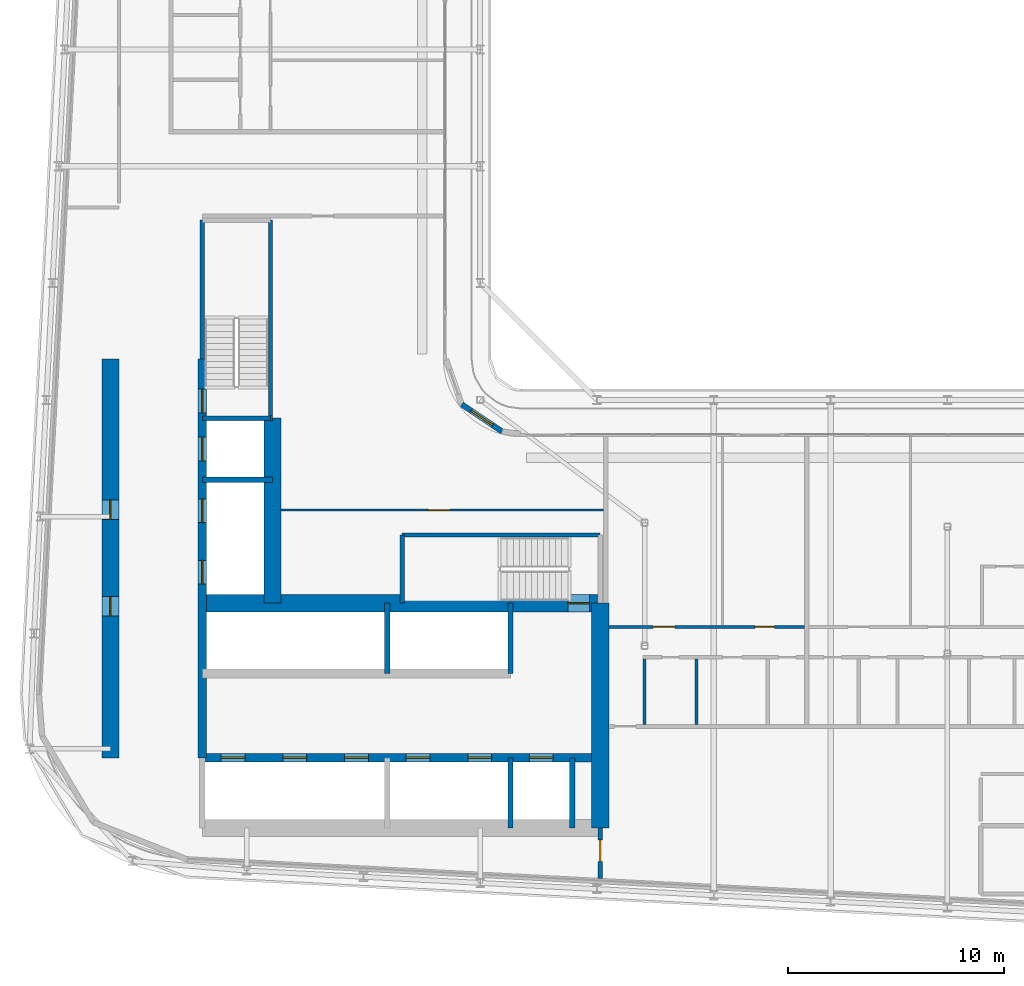
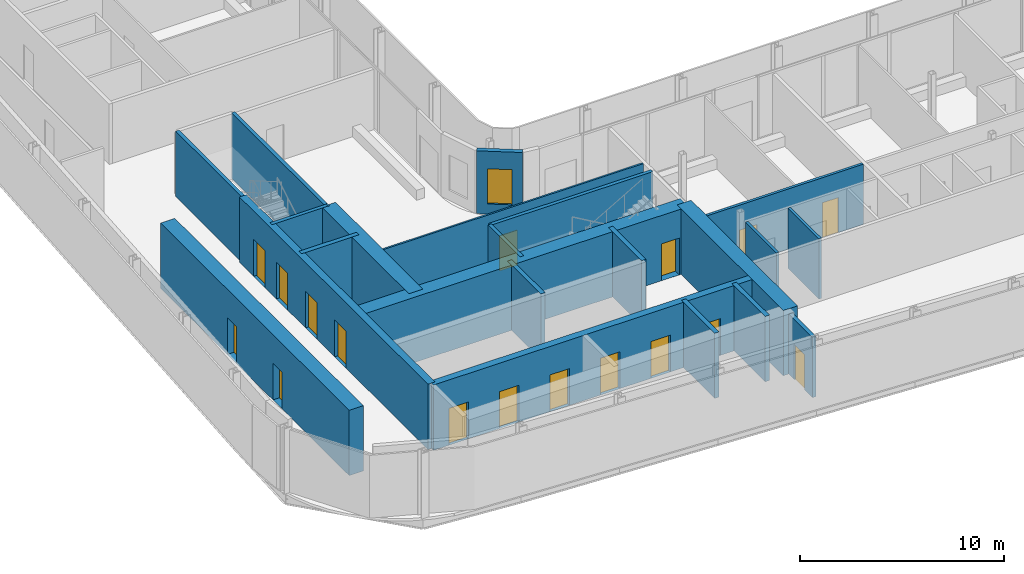
# One storey, part 13 of 26: 23 walls, 17 doors, 1 window, 18 openings.
"""IFC4 building model written with IfcOpenShell, lengths in metres."""

from ifc_helpers import new_model, si_unit, direction, frame, frame_2d, origin, place, context, subcontext, project, spatial, rectangle, extrude, source, transform, mapped, material, layer, layer_set, type_object, element, fill, save


model = new_model("IFC4")

# Units and contexts
model_context = context("Model", 3, precision=1e-05, world=origin(), true_north=direction((0.0, 1.0)))
body_context = subcontext(model_context, "Body", "Model", "MODEL_VIEW")
ifc_project = project(units=[si_unit("LENGTHUNIT", "METRE"), si_unit("AREAUNIT", "SQUARE_METRE"), si_unit("VOLUMEUNIT", "CUBIC_METRE"), si_unit("PLANEANGLEUNIT", "RADIAN"), si_unit("MASSUNIT", "GRAM", prefix="KILO")], contexts=[model_context])

# Site, building, storey
site_placement = place(None, origin())
site = spatial("IfcSite", under=ifc_project, at=site_placement, CompositionType="ELEMENT")
building_placement = place(site_placement, origin())
building = spatial("IfcBuilding", under=site, at=building_placement, Name="Kheshtan School and Residences Tower", CompositionType="ELEMENT")
storey_placement = place(building_placement, frame((0.0, 0.0, 156.5)))
storey = spatial("IfcBuildingStorey", under=building, at=storey_placement, Name="L36", CompositionType="ELEMENT", Elevation=156.5)

# Wall, openings, doors
ifc_material_1 = material(Name="Concrete C50/60", Category="concrete")
ifc_layer_1 = layer(ifc_material_1, 0.39990234375)
ifc_layer_set_1 = layer_set([ifc_layer_1], Name="Core wall 400 Concrete C50/60")
wall_type_1 = type_object("IfcWallType", Name="Core wall 400 Concrete C50/60", PredefinedType="SHEAR", material=ifc_layer_set_1)
wall_1_placement = place(storey_placement, frame((34.75, 29.050048828125, 0.0), z_axis=(0.0, 0.0, 1.0), x_axis=(1.0, 0.0, 0.0)))
wall_1 = element("IfcWall", 1, at=wall_1_placement, inside=storey, type_object=wall_type_1, Name="Core wall CW-HALL-S1", PredefinedType="SHEAR", context=body_context, shape_type="SweptSolid", body=[
    extrude(rectangle(XDim=18.39990234375, YDim=0.39990234375, at=frame_2d((9.199951171875, 0.0))), origin(), (0.0, 0.0, 1.0), 3.89990234375),
])
opening_1_placement = place(wall_1_placement, frame((0.875, 0.0, 0.0)))
opening_1 = element("IfcOpeningElement", 2, at=opening_1_placement, cuts=wall_1, Name="Opening LD", PredefinedType="OPENING", context=body_context, shape_type="SweptSolid", body=[
    extrude(rectangle(XDim=1.10009765625, YDim=2.199951171875, at=frame_2d((0.550048828125, 1.10009765625))), frame((0.0, 0.2099609375, 0.0), z_axis=(0.0, -1.0, 0.0), x_axis=(1.0, 0.0, 0.0)), (0.0, 0.0, 1.0), 0.419921875),
])
opening_2_placement = place(wall_1_placement, frame((3.72509765625, 0.0, 0.0)))
opening_2 = element("IfcOpeningElement", 3, at=opening_2_placement, cuts=wall_1, Name="Opening LD", PredefinedType="OPENING", context=body_context, shape_type="SweptSolid", body=[
    extrude(rectangle(XDim=1.10009765625, YDim=2.199951171875, at=frame_2d((0.550048828125, 1.10009765625))), frame((0.0, 0.2099609375, 0.0), z_axis=(0.0, -1.0, 0.0), x_axis=(1.0, 0.0, 0.0)), (0.0, 0.0, 1.0), 0.419921875),
])
opening_3_placement = place(wall_1_placement, frame((6.574951171875, 0.0, 0.0)))
opening_3 = element("IfcOpeningElement", 4, at=opening_3_placement, cuts=wall_1, Name="Opening LD", PredefinedType="OPENING", context=body_context, shape_type="SweptSolid", body=[
    extrude(rectangle(XDim=1.10009765625, YDim=2.199951171875, at=frame_2d((0.550048828125, 1.10009765625))), frame((0.0, 0.2099609375, 0.0), z_axis=(0.0, -1.0, 0.0), x_axis=(1.0, 0.0, 0.0)), (0.0, 0.0, 1.0), 0.419921875),
])
opening_4_placement = place(wall_1_placement, frame((9.425048828125, 0.0, 0.0)))
opening_4 = element("IfcOpeningElement", 5, at=opening_4_placement, cuts=wall_1, Name="Opening LD", PredefinedType="OPENING", context=body_context, shape_type="SweptSolid", body=[
    extrude(rectangle(XDim=1.10009765625, YDim=2.199951171875, at=frame_2d((0.550048828125, 1.10009765625))), frame((0.0, 0.2099609375, 0.0), z_axis=(0.0, -1.0, 0.0), x_axis=(1.0, 0.0, 0.0)), (0.0, 0.0, 1.0), 0.419921875),
])
opening_5_placement = place(wall_1_placement, frame((12.27490234375, 0.0, 0.0)))
opening_5 = element("IfcOpeningElement", 6, at=opening_5_placement, cuts=wall_1, Name="Opening LD", PredefinedType="OPENING", context=body_context, shape_type="SweptSolid", body=[
    extrude(rectangle(XDim=1.10009765625, YDim=2.199951171875, at=frame_2d((0.550048828125, 1.10009765625))), frame((0.0, 0.2099609375, 0.0), z_axis=(0.0, -1.0, 0.0), x_axis=(1.0, 0.0, 0.0)), (0.0, 0.0, 1.0), 0.419921875),
])
opening_6_placement = place(wall_1_placement, frame((15.125, 0.0, 0.0)))
opening_6 = element("IfcOpeningElement", 7, at=opening_6_placement, cuts=wall_1, Name="Opening LD", PredefinedType="OPENING", context=body_context, shape_type="SweptSolid", body=[
    extrude(rectangle(XDim=1.10009765625, YDim=2.199951171875, at=frame_2d((0.550048828125, 1.10009765625))), frame((0.0, 0.2099609375, 0.0), z_axis=(0.0, -1.0, 0.0), x_axis=(1.0, 0.0, 0.0)), (0.0, 0.0, 1.0), 0.419921875),
])
ifc_material_2 = material(Name="Stainless steel door leaves", Category="steel")
door_type_1 = type_object("IfcDoorType", Name="Lift landing door 1100", OperationType="SLIDING_TO_LEFT", PredefinedType="DOOR", material=ifc_material_2)
shared_shape_1 = source(origin(), body_context, "Body", "SweptSolid", [
    extrude(rectangle(XDim=1.10009765625, YDim=2.199951171875, at=frame_2d((0.550048828125, 1.10009765625))), frame((0.0, 0.02490234375, 0.0), z_axis=(0.0, -1.0, 0.0), x_axis=(1.0, 0.0, 0.0)), (0.0, 0.0, 1.0), 0.050048828125),
])
door_1_placement = place(opening_1_placement, origin())
door_1 = element("IfcDoor", 8, at=door_1_placement, inside=storey, type_object=door_type_1, Name="Lift P7 landing door", OperationType="SLIDING_TO_LEFT", OverallHeight=2.199951171875, OverallWidth=1.10009765625, PredefinedType="DOOR", context=body_context, shape_type="MappedRepresentation", body=[
    mapped(shared_shape_1, transform((0.0, 0.0, 0.0), x_axis=(1.0, 0.0, 0.0), y_axis=(0.0, 1.0, 0.0), z_axis=(0.0, 0.0, 1.0), scale=1.0)),
])
fill(opening_1, door_1)
door_2_placement = place(opening_2_placement, origin())
door_2 = element("IfcDoor", 9, at=door_2_placement, inside=storey, type_object=door_type_1, Name="Lift P8 landing door", OperationType="SLIDING_TO_LEFT", OverallHeight=2.199951171875, OverallWidth=1.10009765625, PredefinedType="DOOR", context=body_context, shape_type="MappedRepresentation", body=[
    mapped(shared_shape_1, transform((0.0, 0.0, 0.0), x_axis=(1.0, 0.0, 0.0), y_axis=(0.0, 1.0, 0.0), z_axis=(0.0, 0.0, 1.0), scale=1.0)),
])
fill(opening_2, door_2)
door_3_placement = place(opening_3_placement, origin())
door_3 = element("IfcDoor", 10, at=door_3_placement, inside=storey, type_object=door_type_1, Name="Lift P9 landing door", OperationType="SLIDING_TO_LEFT", OverallHeight=2.199951171875, OverallWidth=1.10009765625, PredefinedType="DOOR", context=body_context, shape_type="MappedRepresentation", body=[
    mapped(shared_shape_1, transform((0.0, 0.0, 0.0), x_axis=(1.0, 0.0, 0.0), y_axis=(0.0, 1.0, 0.0), z_axis=(0.0, 0.0, 1.0), scale=1.0)),
])
fill(opening_3, door_3)
door_4_placement = place(opening_4_placement, origin())
door_4 = element("IfcDoor", 11, at=door_4_placement, inside=storey, type_object=door_type_1, Name="Lift P10 landing door", OperationType="SLIDING_TO_LEFT", OverallHeight=2.199951171875, OverallWidth=1.10009765625, PredefinedType="DOOR", context=body_context, shape_type="MappedRepresentation", body=[
    mapped(shared_shape_1, transform((0.0, 0.0, 0.0), x_axis=(1.0, 0.0, 0.0), y_axis=(0.0, 1.0, 0.0), z_axis=(0.0, 0.0, 1.0), scale=1.0)),
])
fill(opening_4, door_4)
door_5_placement = place(opening_5_placement, origin())
door_5 = element("IfcDoor", 12, at=door_5_placement, inside=storey, type_object=door_type_1, Name="Lift P11 landing door", OperationType="SLIDING_TO_LEFT", OverallHeight=2.199951171875, OverallWidth=1.10009765625, PredefinedType="DOOR", context=body_context, shape_type="MappedRepresentation", body=[
    mapped(shared_shape_1, transform((0.0, 0.0, 0.0), x_axis=(1.0, 0.0, 0.0), y_axis=(0.0, 1.0, 0.0), z_axis=(0.0, 0.0, 1.0), scale=1.0)),
])
fill(opening_5, door_5)
door_6_placement = place(opening_6_placement, origin())
door_6 = element("IfcDoor", 13, at=door_6_placement, inside=storey, type_object=door_type_1, Name="Lift FFL2 landing door", OperationType="SLIDING_TO_LEFT", OverallHeight=2.199951171875, OverallWidth=1.10009765625, PredefinedType="DOOR", context=body_context, shape_type="MappedRepresentation", body=[
    mapped(shared_shape_1, transform((0.0, 0.0, 0.0), x_axis=(1.0, 0.0, 0.0), y_axis=(0.0, 1.0, 0.0), z_axis=(0.0, 0.0, 1.0), scale=1.0)),
])
fill(opening_6, door_6)

wall_2_placement = place(storey_placement, frame((34.75, 29.050048828125, 0.0), z_axis=(0.0, 0.0, 1.0), x_axis=(0.0, 1.0, 0.0)))
wall_2 = element("IfcWall", 14, at=wall_2_placement, inside=storey, type_object=wall_type_1, Name="Core wall CW-HALL-W1", PredefinedType="SHEAR", context=body_context, shape_type="SweptSolid", body=[
    extrude(rectangle(XDim=18.449951171875, YDim=0.39990234375, at=frame_2d((9.22509765625, 0.0))), origin(), (0.0, 0.0, 1.0), 3.89990234375),
])
opening_7_placement = place(wall_2_placement, frame((8.02490234375, 0.0, 0.0)))
opening_7 = element("IfcOpeningElement", 15, at=opening_7_placement, cuts=wall_2, Name="Opening LD", PredefinedType="OPENING", context=body_context, shape_type="SweptSolid", body=[
    extrude(rectangle(XDim=1.10009765625, YDim=2.199951171875, at=frame_2d((0.550048828125, 1.10009765625))), frame((0.0, 0.2099609375, 0.0), z_axis=(0.0, -1.0, 0.0), x_axis=(1.0, 0.0, 0.0)), (0.0, 0.0, 1.0), 0.419921875),
])
opening_8_placement = place(wall_2_placement, frame((10.875, 0.0, 0.0)))
opening_8 = element("IfcOpeningElement", 16, at=opening_8_placement, cuts=wall_2, Name="Opening LD", PredefinedType="OPENING", context=body_context, shape_type="SweptSolid", body=[
    extrude(rectangle(XDim=1.10009765625, YDim=2.199951171875, at=frame_2d((0.550048828125, 1.10009765625))), frame((0.0, 0.2099609375, 0.0), z_axis=(0.0, -1.0, 0.0), x_axis=(1.0, 0.0, 0.0)), (0.0, 0.0, 1.0), 0.419921875),
])
opening_9_placement = place(wall_2_placement, frame((13.72509765625, 0.0, 0.0)))
opening_9 = element("IfcOpeningElement", 17, at=opening_9_placement, cuts=wall_2, Name="Opening LD", PredefinedType="OPENING", context=body_context, shape_type="SweptSolid", body=[
    extrude(rectangle(XDim=1.10009765625, YDim=2.199951171875, at=frame_2d((0.550048828125, 1.10009765625))), frame((0.0, 0.2099609375, 0.0), z_axis=(0.0, -1.0, 0.0), x_axis=(1.0, 0.0, 0.0)), (0.0, 0.0, 1.0), 0.419921875),
])
opening_10_placement = place(wall_2_placement, frame((15.949951171875, 0.0, 0.0)))
opening_10 = element("IfcOpeningElement", 18, at=opening_10_placement, cuts=wall_2, Name="Opening ST2D", PredefinedType="OPENING", context=body_context, shape_type="SweptSolid", body=[
    extrude(rectangle(XDim=1.10009765625, YDim=2.199951171875, at=frame_2d((0.550048828125, 1.10009765625))), frame((0.0, 0.2099609375, 0.0), z_axis=(0.0, -1.0, 0.0), x_axis=(1.0, 0.0, 0.0)), (0.0, 0.0, 1.0), 0.419921875),
])
door_7_placement = place(opening_7_placement, origin())
door_7 = element("IfcDoor", 19, at=door_7_placement, inside=storey, type_object=door_type_1, Name="Lift SV1 landing door", OperationType="SLIDING_TO_LEFT", OverallHeight=2.199951171875, OverallWidth=1.10009765625, PredefinedType="DOOR", context=body_context, shape_type="MappedRepresentation", body=[
    mapped(shared_shape_1, transform((0.0, 0.0, 0.0), x_axis=(1.0, 0.0, 0.0), y_axis=(0.0, 1.0, 0.0), z_axis=(0.0, 0.0, 1.0), scale=1.0)),
])
fill(opening_7, door_7)
door_8_placement = place(opening_8_placement, origin())
door_8 = element("IfcDoor", 20, at=door_8_placement, inside=storey, type_object=door_type_1, Name="Lift SV2 landing door", OperationType="SLIDING_TO_LEFT", OverallHeight=2.199951171875, OverallWidth=1.10009765625, PredefinedType="DOOR", context=body_context, shape_type="MappedRepresentation", body=[
    mapped(shared_shape_1, transform((0.0, 0.0, 0.0), x_axis=(1.0, 0.0, 0.0), y_axis=(0.0, 1.0, 0.0), z_axis=(0.0, 0.0, 1.0), scale=1.0)),
])
fill(opening_8, door_8)
door_9_placement = place(opening_9_placement, origin())
door_9 = element("IfcDoor", 21, at=door_9_placement, inside=storey, type_object=door_type_1, Name="Lift FFL1 landing door", OperationType="SLIDING_TO_LEFT", OverallHeight=2.199951171875, OverallWidth=1.10009765625, PredefinedType="DOOR", context=body_context, shape_type="MappedRepresentation", body=[
    mapped(shared_shape_1, transform((0.0, 0.0, 0.0), x_axis=(1.0, 0.0, 0.0), y_axis=(0.0, 1.0, 0.0), z_axis=(0.0, 0.0, 1.0), scale=1.0)),
])
fill(opening_9, door_9)
ifc_material_3 = material(Name="Steel door leaf, galvanised", Category="steel")
door_type_2 = type_object("IfcDoorType", Name="Stair door 1100 steel 90 min", OperationType="SINGLE_SWING_LEFT", PredefinedType="DOOR", material=ifc_material_3)
shared_shape_2 = source(origin(), body_context, "Body", "SweptSolid", [
    extrude(rectangle(XDim=1.10009765625, YDim=2.199951171875, at=frame_2d((0.550048828125, 1.10009765625))), frame((0.0, 0.02490234375, 0.0), z_axis=(0.0, -1.0, 0.0), x_axis=(1.0, 0.0, 0.0)), (0.0, 0.0, 1.0), 0.050048828125),
])
door_10_placement = place(opening_10_placement, origin())
door_10 = element("IfcDoor", 22, at=door_10_placement, inside=storey, type_object=door_type_2, Name="Stair ST2 door", OperationType="SINGLE_SWING_RIGHT", OverallHeight=2.199951171875, OverallWidth=1.10009765625, PredefinedType="DOOR", context=body_context, shape_type="MappedRepresentation", body=[
    mapped(shared_shape_2, transform((0.0, 0.0, 0.0), x_axis=(1.0, 0.0, 0.0), y_axis=(0.0, 1.0, 0.0), z_axis=(0.0, 0.0, 1.0), scale=1.0)),
])
fill(opening_10, door_10)

# Wall, opening, door
ifc_material_4 = material(Name="Concrete C70/85", Category="concrete")
ifc_layer_2 = layer(ifc_material_4, 0.800048828125)
ifc_layer_set_2 = layer_set([ifc_layer_2], Name="Core wall 800 Concrete C70/85")
wall_type_2 = type_object("IfcWallType", Name="Core wall 800 Concrete C70/85", PredefinedType="SHEAR", material=ifc_layer_set_2)
wall_3_placement = place(storey_placement, frame((34.75, 36.199951171875, 0.0), z_axis=(0.0, 0.0, 1.0), x_axis=(1.0, 0.0, 0.0)))
wall_3 = element("IfcWall", 23, at=wall_3_placement, inside=storey, type_object=wall_type_2, Name="Core wall CW-FRONT-S", PredefinedType="SHEAR", context=body_context, shape_type="SweptSolid", body=[
    extrude(rectangle(XDim=18.39990234375, YDim=0.800048828125, at=frame_2d((9.199951171875, 0.0))), origin(), (0.0, 0.0, 1.0), 3.89990234375),
])
opening_11_placement = place(wall_3_placement, frame((16.89990234375, 0.0, 0.0)))
opening_11 = element("IfcOpeningElement", 24, at=opening_11_placement, cuts=wall_3, Name="Opening ST1D", PredefinedType="OPENING", context=body_context, shape_type="SweptSolid", body=[
    extrude(rectangle(XDim=1.0, YDim=2.199951171875, at=frame_2d((0.5, 1.10009765625))), frame((0.0, 0.41015625, 0.0), z_axis=(0.0, -1.0, 0.0), x_axis=(1.0, 0.0, 0.0)), (0.0, 0.0, 1.0), 0.820068359375),
])
shared_shape_3 = source(origin(), body_context, "Body", "SweptSolid", [
    extrude(rectangle(XDim=1.0, YDim=2.199951171875, at=frame_2d((0.5, 1.10009765625))), frame((0.0, 0.02490234375, 0.0), z_axis=(0.0, -1.0, 0.0), x_axis=(1.0, 0.0, 0.0)), (0.0, 0.0, 1.0), 0.050048828125),
])
door_11_placement = place(opening_11_placement, origin())
door_11 = element("IfcDoor", 25, at=door_11_placement, inside=storey, type_object=door_type_2, Name="Stair ST1 door", OperationType="SINGLE_SWING_RIGHT", OverallHeight=2.199951171875, OverallWidth=1.0, PredefinedType="DOOR", context=body_context, shape_type="MappedRepresentation", body=[
    mapped(shared_shape_3, transform((0.0, 0.0, 0.0), x_axis=(1.0, 0.0, 0.0), y_axis=(0.0, 1.0, 0.0), z_axis=(0.0, 0.0, 1.0), scale=1.0)),
])
fill(opening_11, door_11)

# Wall
wall_4_placement = place(storey_placement, frame((38.0, 36.199951171875, 0.0), z_axis=(0.0, 0.0, 1.0), x_axis=(0.0, 1.0, 0.0)))
element("IfcWall", 26, at=wall_4_placement, inside=storey, type_object=wall_type_2, Name="Core wall CW-FRONT-W", PredefinedType="SHEAR", context=body_context, shape_type="SweptSolid", body=[
    extrude(rectangle(XDim=8.550048828125, YDim=0.800048828125, at=frame_2d((4.27490234375, 0.0))), origin(), (0.0, 0.0, 1.0), 3.89990234375),
])

# Wall, openings, doors
wall_5_placement = place(storey_placement, frame((30.5, 29.050048828125, 0.0), z_axis=(0.0, 0.0, 1.0), x_axis=(0.0, 1.0, 0.0)))
wall_5 = element("IfcWall", 27, at=wall_5_placement, inside=storey, type_object=wall_type_2, Name="Core wall CW-REAR-W", PredefinedType="SHEAR", context=body_context, shape_type="SweptSolid", body=[
    extrude(rectangle(XDim=18.449951171875, YDim=0.800048828125, at=frame_2d((9.22509765625, 0.0))), origin(), (0.0, 0.0, 1.0), 3.89990234375),
])
opening_12_placement = place(wall_5_placement, frame((6.550048828125, 0.0, 0.0)))
opening_12 = element("IfcOpeningElement", 28, at=opening_12_placement, cuts=wall_5, Name="Opening SR90", PredefinedType="OPENING", context=body_context, shape_type="SweptSolid", body=[
    extrude(rectangle(XDim=0.89990234375, YDim=2.199951171875, at=frame_2d((0.449951171875, 1.10009765625))), frame((0.0, 0.41015625, 0.0), z_axis=(0.0, -1.0, 0.0), x_axis=(1.0, 0.0, 0.0)), (0.0, 0.0, 1.0), 0.820068359375),
])
opening_13_placement = place(wall_5_placement, frame((11.02490234375, 0.0, 0.0)))
opening_13 = element("IfcOpeningElement", 29, at=opening_13_placement, cuts=wall_5, Name="Opening SR90", PredefinedType="OPENING", context=body_context, shape_type="SweptSolid", body=[
    extrude(rectangle(XDim=0.89990234375, YDim=2.199951171875, at=frame_2d((0.449951171875, 1.10009765625))), frame((0.0, 0.41015625, 0.0), z_axis=(0.0, -1.0, 0.0), x_axis=(1.0, 0.0, 0.0)), (0.0, 0.0, 1.0), 0.820068359375),
])
door_type_3 = type_object("IfcDoorType", Name="Service room door 900 steel 90 min", OperationType="SINGLE_SWING_LEFT", PredefinedType="DOOR", material=ifc_material_3)
shared_shape_4 = source(origin(), body_context, "Body", "SweptSolid", [
    extrude(rectangle(XDim=0.89990234375, YDim=2.199951171875, at=frame_2d((0.449951171875, 1.10009765625))), frame((0.0, 0.02490234375, 0.0), z_axis=(0.0, -1.0, 0.0), x_axis=(1.0, 0.0, 0.0)), (0.0, 0.0, 1.0), 0.050048828125),
])
door_12_placement = place(opening_12_placement, origin())
door_12 = element("IfcDoor", 30, at=door_12_placement, inside=storey, type_object=door_type_3, Name="Service room door", OperationType="SINGLE_SWING_RIGHT", OverallHeight=2.199951171875, OverallWidth=0.89990234375, PredefinedType="DOOR", context=body_context, shape_type="MappedRepresentation", body=[
    mapped(shared_shape_4, transform((0.0, 0.0, 0.0), x_axis=(1.0, 0.0, 0.0), y_axis=(0.0, 1.0, 0.0), z_axis=(0.0, 0.0, 1.0), scale=1.0)),
])
fill(opening_12, door_12)
door_13_placement = place(opening_13_placement, origin())
door_13 = element("IfcDoor", 31, at=door_13_placement, inside=storey, type_object=door_type_3, Name="Service room door", OperationType="SINGLE_SWING_RIGHT", OverallHeight=2.199951171875, OverallWidth=0.89990234375, PredefinedType="DOOR", context=body_context, shape_type="MappedRepresentation", body=[
    mapped(shared_shape_4, transform((0.0, 0.0, 0.0), x_axis=(1.0, 0.0, 0.0), y_axis=(0.0, 1.0, 0.0), z_axis=(0.0, 0.0, 1.0), scale=1.0)),
])
fill(opening_13, door_13)

# Wall
wall_6_placement = place(storey_placement, frame((53.14990234375, 25.800048828125, 0.0), z_axis=(0.0, 0.0, 1.0), x_axis=(0.0, 1.0, 0.0)))
element("IfcWall", 32, at=wall_6_placement, inside=storey, type_object=wall_type_2, Name="Core wall CW-EAST", PredefinedType="SHEAR", context=body_context, shape_type="SweptSolid", body=[
    extrude(rectangle(XDim=10.39990234375, YDim=0.800048828125, at=frame_2d((5.199951171875, 0.0))), origin(), (0.0, 0.0, 1.0), 3.89990234375),
])

# Wall, opening, door
ifc_material_5 = material(Name="Gypsum board on steel studs with fire boards", Category="steel")
ifc_layer_3 = layer(ifc_material_5, 0.199951171875)
ifc_layer_set_3 = layer_set([ifc_layer_3], Name="Corridor wall 200")
wall_type_3 = type_object("IfcWallType", Name="Corridor wall 200", PredefinedType="PARTITIONING", material=ifc_layer_set_3)
wall_7_placement = place(storey_placement, frame((53.14990234375, 23.472412109375, 0.0), z_axis=(0.0, 0.0, 1.0), x_axis=(0.0, 1.0, 0.0)))
wall_7 = element("IfcWall", 33, at=wall_7_placement, inside=storey, type_object=wall_type_3, Name="Partition L36-030", PredefinedType="PARTITIONING", context=body_context, shape_type="SweptSolid", body=[
    extrude(rectangle(XDim=2.32763671875, YDim=0.199951171875, at=frame_2d((1.163818359375, 0.0))), origin(), (0.0, 0.0, 1.0), 3.60009765625),
])
opening_14_placement = place(wall_7_placement, frame((0.784912109375, 0.0, 0.0)))
opening_14 = element("IfcOpeningElement", 34, at=opening_14_placement, cuts=wall_7, Name="Opening D35-045", PredefinedType="OPENING", context=body_context, shape_type="SweptSolid", body=[
    extrude(rectangle(XDim=1.0, YDim=2.10009765625, at=frame_2d((0.5, 1.050048828125))), frame((0.0, 0.10986328125, 0.0), z_axis=(0.0, -1.0, 0.0), x_axis=(1.0, 0.0, 0.0)), (0.0, 0.0, 1.0), 0.219970703125),
])
ifc_material_6 = material(Name="Steel-framed fire-resisting door leaf", Category="steel")
door_type_4 = type_object("IfcDoorType", Name="Fire door FD60 1000 x 2100", OperationType="SINGLE_SWING_LEFT", PredefinedType="DOOR", material=ifc_material_6)
shared_shape_5 = source(origin(), body_context, "Body", "SweptSolid", [
    extrude(rectangle(XDim=1.0, YDim=2.10009765625, at=frame_2d((0.5, 1.050048828125))), frame((0.0, 0.02490234375, 0.0), z_axis=(0.0, -1.0, 0.0), x_axis=(1.0, 0.0, 0.0)), (0.0, 0.0, 1.0), 0.050048828125),
])
door_14_placement = place(opening_14_placement, origin())
door_14 = element("IfcDoor", 35, at=door_14_placement, inside=storey, type_object=door_type_4, Name="Door D35-045", OperationType="SINGLE_SWING_RIGHT", OverallHeight=2.10009765625, OverallWidth=1.0, PredefinedType="DOOR", context=body_context, shape_type="MappedRepresentation", body=[
    mapped(shared_shape_5, transform((0.0, 0.0, 0.0), x_axis=(1.0, 0.0, 0.0), y_axis=(0.0, 1.0, 0.0), z_axis=(0.0, 0.0, 1.0), scale=1.0)),
])
fill(opening_14, door_14)

# Wall, opening, window
ifc_material_7 = material(Name="Concrete C40/50 with ceramic cladding and mineral wool insulation", Category="concrete")
ifc_layer_4 = layer(ifc_material_7, 0.25)
ifc_layer_set_4 = layer_set([ifc_layer_4], Name="External wall 250 ceramic clad")
wall_type_4 = type_object("IfcWallType", Name="External wall 250 ceramic clad", PredefinedType="SOLIDWALL", material=ifc_layer_set_4)
wall_8_placement = place(storey_placement, frame((46.742919921875, 45.388916015625, 0.0), z_axis=(0.0, 0.0, 1.0), x_axis=(0.831449265529, -0.555600682912, 0.0)))
wall_8 = element("IfcWall", 36, at=wall_8_placement, inside=storey, type_object=wall_type_4, Name="External wall L36 10", PredefinedType="SOLIDWALL", context=body_context, shape_type="SweptSolid", body=[
    extrude(rectangle(XDim=2.25146484375, YDim=0.25, at=frame_2d((1.125732421875, 0.0))), origin(), (0.0, 0.0, 1.0), 3.75),
])
opening_15_placement = place(wall_8_placement, frame((0.52490234375, 0.0, 0.60009765625)))
opening_15 = element("IfcOpeningElement", 37, at=opening_15_placement, cuts=wall_8, Name="Opening WN-E", PredefinedType="OPENING", context=body_context, shape_type="SweptSolid", body=[
    extrude(rectangle(XDim=1.199951171875, YDim=2.10009765625, at=frame_2d((0.60009765625, 1.050048828125))), frame((0.0, 0.135009765625, 0.0), z_axis=(0.0, -1.0, 0.0), x_axis=(1.0, 0.0, 0.0)), (0.0, 0.0, 1.0), 0.27001953125),
])
ifc_material_8 = material(Name="Clear low-e glass in thermally broken aluminium frame", Category="aluminium")
window_type = type_object("IfcWindowType", Name="Window WN-E", PartitioningType="SINGLE_PANEL", PredefinedType="WINDOW", material=ifc_material_8)
shared_shape_6 = source(origin(), body_context, "Body", "SweptSolid", [
    extrude(rectangle(XDim=1.199951171875, YDim=2.10009765625, at=frame_2d((0.60009765625, 1.050048828125))), frame((0.0, 0.030029296875, 0.0), z_axis=(0.0, -1.0, 0.0), x_axis=(1.0, 0.0, 0.0)), (0.0, 0.0, 1.0), 0.06005859375),
])
window_placement = place(opening_15_placement, origin())
window = element("IfcWindow", 38, at=window_placement, inside=storey, type_object=window_type, Name="Window L36 10", OverallHeight=2.10009765625, OverallWidth=1.199951171875, PartitioningType="SINGLE_PANEL", PredefinedType="WINDOW", context=body_context, shape_type="MappedRepresentation", body=[
    mapped(shared_shape_6, transform((0.0, 0.0, 0.0), x_axis=(1.0, 0.0, 0.0), y_axis=(0.0, 1.0, 0.0), z_axis=(0.0, 0.0, 1.0), scale=1.0)),
])
fill(opening_15, window)

# Wall, opening, door
ifc_material_9 = material(Name="Gypsum board on steel studs", Category="steel")
ifc_layer_5 = layer(ifc_material_9, 0.10009765625)
ifc_layer_set_5 = layer_set([ifc_layer_5], Name="Gypsum partition 100")
wall_type_5 = type_object("IfcWallType", Name="Gypsum partition 100", PredefinedType="PARTITIONING", material=ifc_layer_set_5)
wall_9_placement = place(storey_placement, frame((38.39892578125, 40.5, 0.0), z_axis=(0.0, 0.0, 1.0), x_axis=(1.0, 0.0, 0.0)))
wall_9 = element("IfcWall", 39, at=wall_9_placement, inside=storey, type_object=wall_type_5, Name="Partition L36-029", PredefinedType="PARTITIONING", context=body_context, shape_type="SweptSolid", body=[
    extrude(rectangle(XDim=14.901123046875, YDim=0.10009765625, at=frame_2d((7.45068359375, 0.0))), origin(), (0.0, 0.0, 1.0), 3.60009765625),
])
opening_16_placement = place(wall_9_placement, frame((6.801025390625, 0.0, 0.0)))
opening_16 = element("IfcOpeningElement", 40, at=opening_16_placement, cuts=wall_9, Name="Opening D35-044", PredefinedType="OPENING", context=body_context, shape_type="SweptSolid", body=[
    extrude(rectangle(XDim=1.0, YDim=2.10009765625, at=frame_2d((0.5, 1.050048828125))), frame((0.0, 0.06005859375, 0.0), z_axis=(0.0, -1.0, 0.0), x_axis=(1.0, 0.0, 0.0)), (0.0, 0.0, 1.0), 0.1201171875),
])
ifc_material_10 = material(Name="Veneered timber door leaf", Category="wood")
door_type_5 = type_object("IfcDoorType", Name="Door 1000 x 2100", OperationType="SINGLE_SWING_LEFT", PredefinedType="DOOR", material=ifc_material_10)
shared_shape_7 = source(origin(), body_context, "Body", "SweptSolid", [
    extrude(rectangle(XDim=1.0, YDim=2.10009765625, at=frame_2d((0.5, 1.050048828125))), frame((0.0, 0.02490234375, 0.0), z_axis=(0.0, -1.0, 0.0), x_axis=(1.0, 0.0, 0.0)), (0.0, 0.0, 1.0), 0.050048828125),
])
door_15_placement = place(opening_16_placement, origin())
door_15 = element("IfcDoor", 41, at=door_15_placement, inside=storey, type_object=door_type_5, Name="Door D35-044", OperationType="SINGLE_SWING_LEFT", OverallHeight=2.10009765625, OverallWidth=1.0, PredefinedType="DOOR", context=body_context, shape_type="MappedRepresentation", body=[
    mapped(shared_shape_7, transform((0.0, 0.0, 0.0), x_axis=(1.0, 0.0, 0.0), y_axis=(0.0, 1.0, 0.0), z_axis=(0.0, 0.0, 1.0), scale=1.0)),
])
fill(opening_16, door_15)

# Walls
ifc_material_11 = material(Name="Fire-board shaft wall system")
ifc_layer_6 = layer(ifc_material_11, 0.25)
ifc_layer_set_6 = layer_set([ifc_layer_6], Name="Shaft lining wall 250")
wall_type_6 = type_object("IfcWallType", Name="Shaft lining wall 250", PredefinedType="PARTITIONING", material=ifc_layer_set_6)
for number, where, z_axis, x_axis, name in (
    (42, (43.300048828125, 32.949951171875, 0.0), (0.0, 0.0, 1.0), (0.0, 1.0, 0.0), "Shaft lining wall"),
    (43, (49.0, 25.800048828125, 0.0), (0.0, 0.0, 1.0), (0.0, 1.0, 0.0), "Shaft lining wall"),
    (44, (49.0, 32.949951171875, 0.0), (0.0, 0.0, 1.0), (0.0, 1.0, 0.0), "Shaft lining wall"),
    (45, (51.85009765625, 25.800048828125, 0.0), (0.0, 0.0, 1.0), (0.0, 1.0, 0.0), "Shaft lining wall"),
    (46, (34.75, 41.89990234375, 0.0), (0.0, 0.0, 1.0), (1.0, 0.0, 0.0), "Shaft lining wall"),
):
    element("IfcWall", number, at=place(storey_placement, frame(where, z_axis=z_axis, x_axis=x_axis)), inside=storey, type_object=wall_type_6, Name=name, PredefinedType="PARTITIONING", context=body_context, shape_type="SweptSolid", body=[
        extrude(rectangle(XDim=3.25, YDim=0.25, at=frame_2d((1.625, 0.0))), origin(), (0.0, 0.0, 1.0), 3.89990234375),
    ])
wall_10_placement = place(storey_placement, frame((37.89990234375, 44.75, 0.0), z_axis=(0.0, 0.0, 1.0), x_axis=(1.0, 0.0, 0.0)))
element("IfcWall", 47, at=wall_10_placement, inside=storey, type_object=wall_type_6, Name="Shaft lining wall", PredefinedType="PARTITIONING", context=body_context, shape_type="SweptSolid", body=[
    extrude(rectangle(XDim=0.10009765625, YDim=0.25, at=frame_2d((0.050048828125, 0.0))), origin(), (0.0, 0.0, 1.0), 3.89990234375),
])
ifc_material_12 = material(Name="Concrete C40/50", Category="concrete")
ifc_layer_7 = layer(ifc_material_12, 0.199951171875)
ifc_layer_set_7 = layer_set([ifc_layer_7], Name="Stair enclosure wall 200 Concrete C40/50")
wall_type_7 = type_object("IfcWallType", Name="Stair enclosure wall 200 Concrete C40/50", PredefinedType="SHEAR", material=ifc_layer_set_7)
wall_11_placement = place(storey_placement, frame((43.989990234375, 39.35009765625, 0.0), z_axis=(0.0, 0.0, 1.0), x_axis=(1.0, 0.0, 0.0)))
element("IfcWall", 48, at=wall_11_placement, inside=storey, type_object=wall_type_7, Name="Stair enclosure wall ST1", PredefinedType="SHEAR", context=body_context, shape_type="SweptSolid", body=[
    extrude(rectangle(XDim=9.159912109375, YDim=0.199951171875, at=frame_2d((4.580078125, 0.0))), origin(), (0.0, 0.0, 1.0), 3.89990234375),
])
wall_12_placement = place(storey_placement, frame((43.989990234375, 36.199951171875, 0.0), z_axis=(0.0, 0.0, 1.0), x_axis=(0.0, 1.0, 0.0)))
element("IfcWall", 49, at=wall_12_placement, inside=storey, type_object=wall_type_7, Name="Stair enclosure wall ST1", PredefinedType="SHEAR", context=body_context, shape_type="SweptSolid", body=[
    extrude(rectangle(XDim=3.150146484375, YDim=0.199951171875, at=frame_2d((1.5751953125, 0.0))), origin(), (0.0, 0.0, 1.0), 3.89990234375),
])
wall_13_placement = place(storey_placement, frame((34.75, 44.75, 0.0), z_axis=(0.0, 0.0, 1.0), x_axis=(1.0, 0.0, 0.0)))
element("IfcWall", 50, at=wall_13_placement, inside=storey, type_object=wall_type_7, Name="Stair enclosure wall ST2", PredefinedType="SHEAR", context=body_context, shape_type="SweptSolid", body=[
    extrude(rectangle(XDim=3.14990234375, YDim=0.199951171875, at=frame_2d((1.574951171875, 0.0))), origin(), (0.0, 0.0, 1.0), 3.89990234375),
])
wall_14_placement = place(storey_placement, frame((34.75, 47.5, 0.0), z_axis=(0.0, 0.0, 1.0), x_axis=(0.0, 1.0, 0.0)))
element("IfcWall", 51, at=wall_14_placement, inside=storey, type_object=wall_type_7, Name="Stair enclosure wall ST2", PredefinedType="SHEAR", context=body_context, shape_type="SweptSolid", body=[
    extrude(rectangle(XDim=6.409912109375, YDim=0.199951171875, at=frame_2d((3.205078125, 0.0))), origin(), (0.0, 0.0, 1.0), 3.89990234375),
])
wall_15_placement = place(storey_placement, frame((37.89990234375, 44.75, 0.0), z_axis=(0.0, 0.0, 1.0), x_axis=(0.0, 1.0, 0.0)))
element("IfcWall", 52, at=wall_15_placement, inside=storey, type_object=wall_type_7, Name="Stair enclosure wall ST2", PredefinedType="SHEAR", context=body_context, shape_type="SweptSolid", body=[
    extrude(rectangle(XDim=9.159912109375, YDim=0.199951171875, at=frame_2d((4.580078125, 0.0))), origin(), (0.0, 0.0, 1.0), 3.89990234375),
])

# Wall, openings, doors
ifc_material_13 = material(Name="Moisture-resistant gypsum board on steel studs", Category="steel")
ifc_layer_8 = layer(ifc_material_13, 0.14990234375)
ifc_layer_set_8 = layer_set([ifc_layer_8], Name="Wet-room partition 150")
wall_type_8 = type_object("IfcWallType", Name="Wet-room partition 150", PredefinedType="PARTITIONING", material=ifc_layer_set_8)
wall_16_placement = place(storey_placement, frame((53.549072265625, 35.10009765625, 0.0), z_axis=(0.0, 0.0, 1.0), x_axis=(1.0, 0.0, 0.0)))
wall_16 = element("IfcWall", 53, at=wall_16_placement, inside=storey, type_object=wall_type_8, Name="Partition L36-033", PredefinedType="PARTITIONING", context=body_context, shape_type="SweptSolid", body=[
    extrude(rectangle(XDim=9.051025390625, YDim=0.14990234375, at=frame_2d((4.525390625, 0.0))), origin(), (0.0, 0.0, 1.0), 3.60009765625),
])
opening_17_placement = place(wall_16_placement, frame((6.7509765625, 0.0, 0.0)))
opening_17 = element("IfcOpeningElement", 54, at=opening_17_placement, cuts=wall_16, Name="Opening D35-002", PredefinedType="OPENING", context=body_context, shape_type="SweptSolid", body=[
    extrude(rectangle(XDim=0.89990234375, YDim=2.10009765625, at=frame_2d((0.449951171875, 1.050048828125))), frame((0.0, 0.0849609375, 0.0), z_axis=(0.0, -1.0, 0.0), x_axis=(1.0, 0.0, 0.0)), (0.0, 0.0, 1.0), 0.169921875),
])
opening_18_placement = place(wall_16_placement, frame((2.051025390625, 0.0, 0.0)))
opening_18 = element("IfcOpeningElement", 55, at=opening_18_placement, cuts=wall_16, Name="Opening D35-005", PredefinedType="OPENING", context=body_context, shape_type="SweptSolid", body=[
    extrude(rectangle(XDim=1.0, YDim=2.10009765625, at=frame_2d((0.5, 1.050048828125))), frame((0.0, 0.0849609375, 0.0), z_axis=(0.0, -1.0, 0.0), x_axis=(1.0, 0.0, 0.0)), (0.0, 0.0, 1.0), 0.169921875),
])
door_16_placement = place(opening_18_placement, origin())
door_16 = element("IfcDoor", 56, at=door_16_placement, inside=storey, type_object=door_type_5, Name="Door D35-005", OperationType="SINGLE_SWING_RIGHT", OverallHeight=2.10009765625, OverallWidth=1.0, PredefinedType="DOOR", context=body_context, shape_type="MappedRepresentation", body=[
    mapped(shared_shape_7, transform((0.0, 0.0, 0.0), x_axis=(1.0, 0.0, 0.0), y_axis=(0.0, 1.0, 0.0), z_axis=(0.0, 0.0, 1.0), scale=1.0)),
])
fill(opening_18, door_16)
door_type_6 = type_object("IfcDoorType", Name="Door 900 x 2100", OperationType="SINGLE_SWING_LEFT", PredefinedType="DOOR", material=ifc_material_10)
shared_shape_8 = source(origin(), body_context, "Body", "SweptSolid", [
    extrude(rectangle(XDim=0.89990234375, YDim=2.10009765625, at=frame_2d((0.449951171875, 1.050048828125))), frame((0.0, 0.02490234375, 0.0), z_axis=(0.0, -1.0, 0.0), x_axis=(1.0, 0.0, 0.0)), (0.0, 0.0, 1.0), 0.050048828125),
])
door_17_placement = place(opening_17_placement, origin())
door_17 = element("IfcDoor", 57, at=door_17_placement, inside=storey, type_object=door_type_6, Name="Door D35-002", OperationType="SINGLE_SWING_LEFT", OverallHeight=2.10009765625, OverallWidth=0.89990234375, PredefinedType="DOOR", context=body_context, shape_type="MappedRepresentation", body=[
    mapped(shared_shape_8, transform((0.0, 0.0, 0.0), x_axis=(1.0, 0.0, 0.0), y_axis=(0.0, 1.0, 0.0), z_axis=(0.0, 0.0, 1.0), scale=1.0)),
])
fill(opening_17, door_17)

# Walls
for number, where, z_axis, x_axis, name in (
    (58, (55.199951171875, 30.60009765625, 0.0), (0.0, 0.0, 1.0), (0.0, 1.0, 0.0), "Partition L36-035"),
    (59, (57.60009765625, 30.60009765625, 0.0), (0.0, 0.0, 1.0), (0.0, 1.0, 0.0), "Partition L36-036"),
):
    element("IfcWall", number, at=place(storey_placement, frame(where, z_axis=z_axis, x_axis=x_axis)), inside=storey, type_object=wall_type_8, Name=name, PredefinedType="PARTITIONING", context=body_context, shape_type="SweptSolid", body=[
        extrude(rectangle(XDim=3.02490234375, YDim=0.14990234375, at=frame_2d((1.512451171875, 0.0))), origin(), (0.0, 0.0, 1.0), 3.60009765625),
    ])

save(model, "model.ifc")
